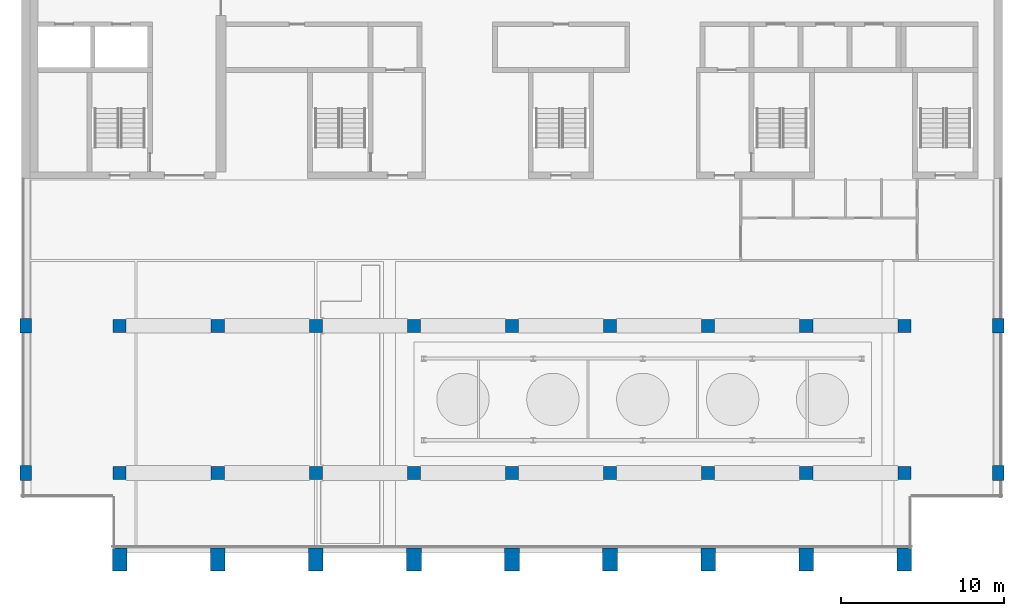
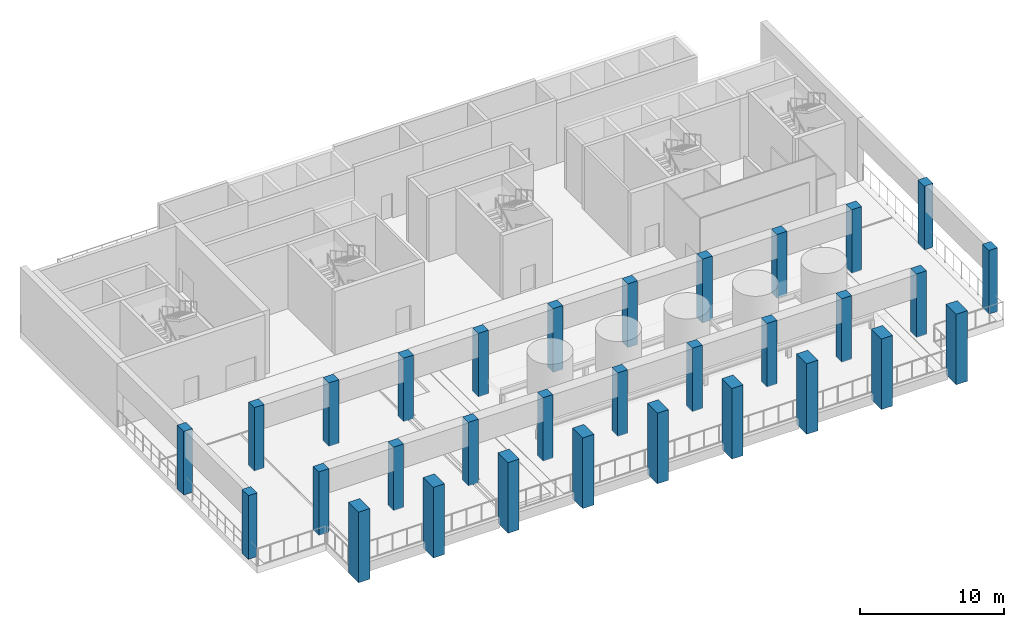
# One storey, part 1 of 11: 31 columns.
"""IFC4 building model written with IfcOpenShell, lengths in metres."""

from ifc_helpers import new_model, si_unit, direction, frame, origin, origin_2d, place, context, subcontext, project, spatial, rectangle, extrude, material, material_profile, profile_set, type_object, element, save


model = new_model("IFC4")

# Units and contexts
model_context = context("Model", 3, precision=1e-05, world=origin(), true_north=direction((0.0, 1.0)))
body_context = subcontext(model_context, "Body", "Model", "MODEL_VIEW")
ifc_project = project(units=[si_unit("LENGTHUNIT", "METRE"), si_unit("AREAUNIT", "SQUARE_METRE"), si_unit("VOLUMEUNIT", "CUBIC_METRE"), si_unit("PLANEANGLEUNIT", "RADIAN"), si_unit("MASSUNIT", "GRAM", prefix="KILO")], contexts=[model_context])

# Site, building, storey
site_placement = place(None, origin())
site = spatial("IfcSite", under=ifc_project, at=site_placement, CompositionType="ELEMENT")
building_placement = place(site_placement, origin())
building = spatial("IfcBuilding", under=site, at=building_placement, Name="Calvaro Tower", CompositionType="ELEMENT")
storey_placement = place(building_placement, frame((0.0, 0.0, 265.949951171875)))
storey = spatial("IfcBuildingStorey", under=building, at=storey_placement, Name="L67", CompositionType="ELEMENT", Elevation=265.949951171875)

# Columns
ifc_material_1 = material(Name="Concrete C40/50", Category="concrete")
ifc_material_profile_1 = material_profile(ifc_material_1, rectangle(XDim=0.800048828125, YDim=0.800048828125, at=origin_2d()), Name="RC 800x800")
ifc_profile_set_1 = profile_set([ifc_material_profile_1], Name="Concrete C40/50")
column_type_1 = type_object("IfcColumnType", Name="Column 800x800 C40/50", PredefinedType="COLUMN", material=ifc_profile_set_1)
for number, where, z_axis, x_axis, name in (
    (1, (12.0, 10.0, 0.0), (0.0, 0.0, 1.0), (1.0, 0.0, 0.0), "Column 3B"),
    (2, (12.0, 19.0, 0.0), (0.0, 0.0, 1.0), (1.0, 0.0, 0.0), "Column 3C"),
    (3, (18.0, 10.0, 0.0), (0.0, 0.0, 1.0), (1.0, 0.0, 0.0), "Column 4B"),
    (4, (18.0, 19.0, 0.0), (0.0, 0.0, 1.0), (1.0, 0.0, 0.0), "Column 4C"),
    (5, (24.0, 10.0, 0.0), (0.0, 0.0, 1.0), (1.0, 0.0, 0.0), "Column 5B"),
    (6, (24.0, 19.0, 0.0), (0.0, 0.0, 1.0), (1.0, 0.0, 0.0), "Column 5C"),
    (7, (30.0, 10.0, 0.0), (0.0, 0.0, 1.0), (1.0, 0.0, 0.0), "Column 6B"),
    (8, (30.0, 19.0, 0.0), (0.0, 0.0, 1.0), (1.0, 0.0, 0.0), "Column 6C"),
    (9, (36.0, 10.0, 0.0), (0.0, 0.0, 1.0), (1.0, 0.0, 0.0), "Column 7B"),
    (10, (36.0, 19.0, 0.0), (0.0, 0.0, 1.0), (1.0, 0.0, 0.0), "Column 7C"),
    (11, (42.0, 10.0, 0.0), (0.0, 0.0, 1.0), (1.0, 0.0, 0.0), "Column 8B"),
    (12, (42.0, 19.0, 0.0), (0.0, 0.0, 1.0), (1.0, 0.0, 0.0), "Column 8C"),
    (13, (48.0, 10.0, 0.0), (0.0, 0.0, 1.0), (1.0, 0.0, 0.0), "Column 9B"),
    (14, (48.0, 19.0, 0.0), (0.0, 0.0, 1.0), (1.0, 0.0, 0.0), "Column 9C"),
    (15, (54.0, 10.0, 0.0), (0.0, 0.0, 1.0), (1.0, 0.0, 0.0), "Column 10B"),
    (16, (54.0, 19.0, 0.0), (0.0, 0.0, 1.0), (1.0, 0.0, 0.0), "Column 10C"),
    (17, (60.0, 10.0, 0.0), (0.0, 0.0, 1.0), (1.0, 0.0, 0.0), "Column 11B"),
    (18, (60.0, 19.0, 0.0), (0.0, 0.0, 1.0), (1.0, 0.0, 0.0), "Column 11C"),
):
    element("IfcColumn", number, at=place(storey_placement, frame(where, z_axis=z_axis, x_axis=x_axis)), inside=storey, type_object=column_type_1, Name=name, PredefinedType="COLUMN", context=body_context, shape_type="SweptSolid", body=[
        extrude(rectangle(XDim=0.800048828125, YDim=0.800048828125, at=origin_2d()), origin(), (0.0, 0.0, 1.0), 5.400146484375),
    ])
ifc_material_2 = material(Name="Concrete C40/50", Category="concrete")
ifc_material_profile_2 = material_profile(ifc_material_2, rectangle(XDim=0.89990234375, YDim=1.39990234375, at=origin_2d()), Name="RC 900x1400")
ifc_profile_set_2 = profile_set([ifc_material_profile_2], Name="Concrete C40/50")
column_type_2 = type_object("IfcColumnType", Name="Pier 900x1400 C40/50", PredefinedType="COLUMN", material=ifc_profile_set_2)
for number, where, z_axis, x_axis, name in (
    (19, (12.0, 4.699951171875, -0.599853515625), (0.0, 0.0, 1.0), (1.0, 0.0, 0.0), "South pier 3"),
    (20, (18.0, 4.699951171875, -0.599853515625), (0.0, 0.0, 1.0), (1.0, 0.0, 0.0), "South pier 4"),
    (21, (24.0, 4.699951171875, -0.599853515625), (0.0, 0.0, 1.0), (1.0, 0.0, 0.0), "South pier 5"),
    (22, (30.0, 4.699951171875, -0.599853515625), (0.0, 0.0, 1.0), (1.0, 0.0, 0.0), "South pier 6"),
    (23, (36.0, 4.699951171875, -0.599853515625), (0.0, 0.0, 1.0), (1.0, 0.0, 0.0), "South pier 7"),
    (24, (42.0, 4.699951171875, -0.599853515625), (0.0, 0.0, 1.0), (1.0, 0.0, 0.0), "South pier 8"),
    (25, (48.0, 4.699951171875, -0.599853515625), (0.0, 0.0, 1.0), (1.0, 0.0, 0.0), "South pier 9"),
    (26, (54.0, 4.699951171875, -0.599853515625), (0.0, 0.0, 1.0), (1.0, 0.0, 0.0), "South pier 10"),
    (27, (60.0, 4.699951171875, -0.599853515625), (0.0, 0.0, 1.0), (1.0, 0.0, 0.0), "South pier 11"),
):
    element("IfcColumn", number, at=place(storey_placement, frame(where, z_axis=z_axis, x_axis=x_axis)), inside=storey, type_object=column_type_2, Name=name, PredefinedType="COLUMN", context=body_context, shape_type="SweptSolid", body=[
        extrude(rectangle(XDim=0.89990234375, YDim=1.39990234375, at=origin_2d()), origin(), (0.0, 0.0, 1.0), 6.0),
    ])
ifc_material_3 = material(Name="Concrete C40/50", Category="concrete")
ifc_material_profile_3 = material_profile(ifc_material_3, rectangle(XDim=0.699951171875, YDim=0.89990234375, at=origin_2d()), Name="RC 700x900")
ifc_profile_set_3 = profile_set([ifc_material_profile_3], Name="Concrete C40/50")
column_type_3 = type_object("IfcColumnType", Name="Portal column 700x900 C40/50", PredefinedType="COLUMN", material=ifc_profile_set_3)
for number, where, z_axis, x_axis, name in (
    (28, (6.25, 10.0, 0.0), (0.0, 0.0, 1.0), (1.0, 0.0, 0.0), "Portal column B"),
    (29, (6.25, 19.0, 0.0), (0.0, 0.0, 1.0), (1.0, 0.0, 0.0), "Portal column C"),
    (30, (65.75, 10.0, 0.0), (0.0, 0.0, 1.0), (1.0, 0.0, 0.0), "Portal column B"),
    (31, (65.75, 19.0, 0.0), (0.0, 0.0, 1.0), (1.0, 0.0, 0.0), "Portal column C"),
):
    element("IfcColumn", number, at=place(storey_placement, frame(where, z_axis=z_axis, x_axis=x_axis)), inside=storey, type_object=column_type_3, Name=name, PredefinedType="COLUMN", context=body_context, shape_type="SweptSolid", body=[
        extrude(rectangle(XDim=0.699951171875, YDim=0.89990234375, at=origin_2d()), origin(), (0.0, 0.0, 1.0), 5.400146484375),
    ])

save(model, "model.ifc")
